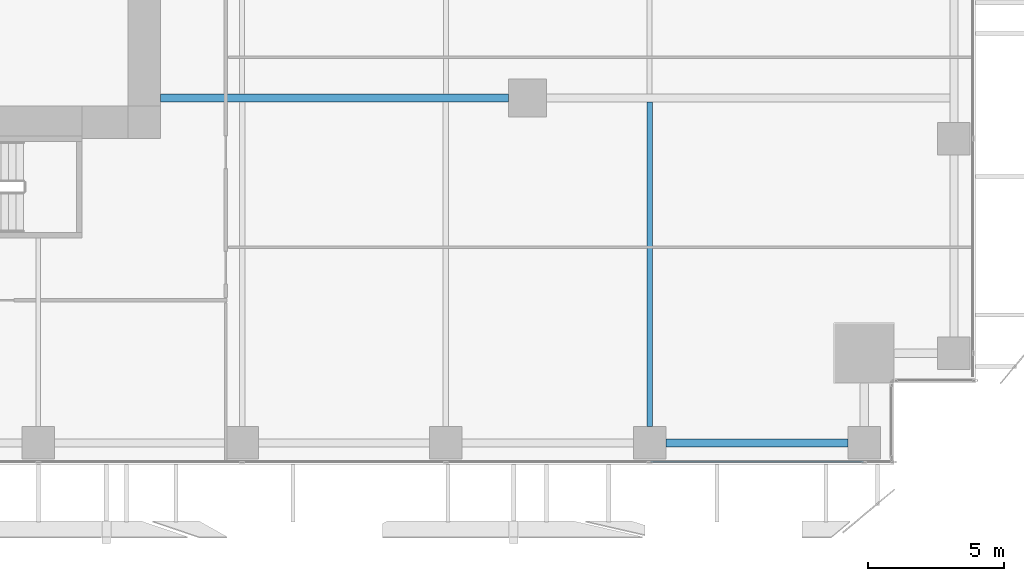
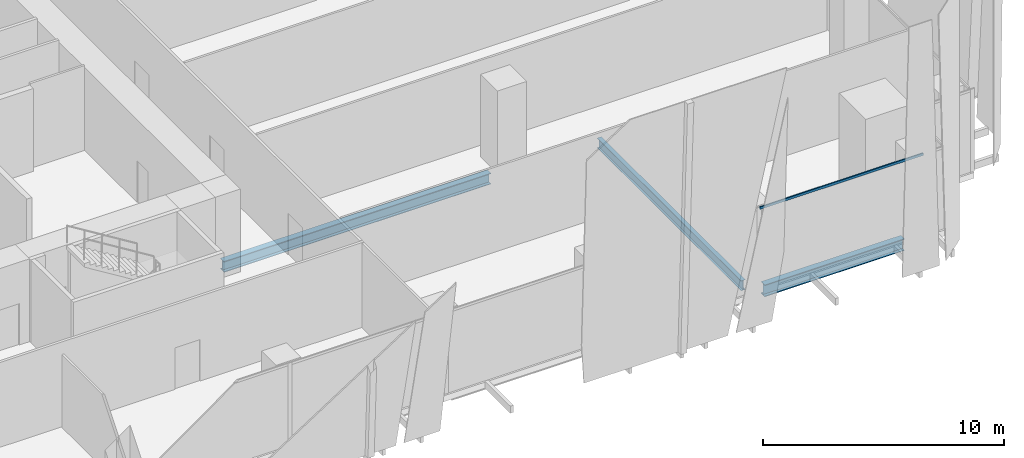
# One storey, part 8 of 37: 3 beams, 1 member, 1 element without a shape of its own.
"""IFC4 building model written with IfcOpenShell, lengths in metres."""

from ifc_helpers import new_model, si_unit, direction, frame, origin, origin_2d, place, context, subcontext, project, spatial, hollow_rectangle, i_section, extrude, source, transform, mapped, material, material_profile, profile_set, type_object, element, aggregate, save


model = new_model("IFC4")

# Units and contexts
model_context = context("Model", 3, precision=1e-05, world=origin(), true_north=direction((0.0, 1.0)))
body_context = subcontext(model_context, "Body", "Model", "MODEL_VIEW")
ifc_project = project(units=[si_unit("LENGTHUNIT", "METRE"), si_unit("AREAUNIT", "SQUARE_METRE"), si_unit("VOLUMEUNIT", "CUBIC_METRE"), si_unit("PLANEANGLEUNIT", "RADIAN"), si_unit("MASSUNIT", "GRAM", prefix="KILO")], contexts=[model_context])

# Site, building, storey
site_placement = place(None, origin())
site = spatial("IfcSite", under=ifc_project, at=site_placement, CompositionType="ELEMENT")
building_placement = place(site_placement, origin())
building = spatial("IfcBuilding", under=site, at=building_placement, Name="Khomas Fold Tower", CompositionType="ELEMENT")
storey_placement = place(building_placement, frame((0.0, 0.0, 60.0)))
storey = spatial("IfcBuildingStorey", under=building, at=storey_placement, Name="L12", CompositionType="ELEMENT", Elevation=60.0)

# Beams
ifc_material_1 = material(Name="Steel S355", Category="steel")
ifc_material_profile_1 = material_profile(ifc_material_1, i_section(OverallWidth=0.300048828125, OverallDepth=0.550048828125, WebThickness=0.014892578125, FlangeThickness=0.029052734375, at=origin_2d()), Name="HE 550 B")
ifc_profile_set_1 = profile_set([ifc_material_profile_1], Name="Steel S355")
beam_type_1 = type_object("IfcBeamType", Name="HE 550 B beam GB4", PredefinedType="BEAM", material=ifc_profile_set_1)
shared_shape_1 = source(origin(), body_context, "Body", "SweptSolid", [
    extrude(i_section(OverallWidth=0.300048828125, OverallDepth=0.550048828125, WebThickness=0.014892578125, FlangeThickness=0.029052734375, at=origin_2d()), origin(), (0.0, 0.0, 1.0), 12.800048828125),
])
beam_1_placement = place(storey_placement, frame((24.0, 13.5, -0.574951171875), z_axis=(1.0, 0.0, 0.0), x_axis=(0.0, 1.0, 0.0)))
element("IfcBeam", 1, at=beam_1_placement, inside=storey, type_object=beam_type_1, Name="GB4", PredefinedType="BEAM", context=body_context, shape_type="MappedRepresentation", body=[
    mapped(shared_shape_1, transform((0.0, 0.0, 0.0))),
])
ifc_material_2 = material(Name="Steel S355", Category="steel")
ifc_material_profile_2 = material_profile(ifc_material_2, i_section(OverallWidth=0.300048828125, OverallDepth=0.60009765625, WebThickness=0.015380859375, FlangeThickness=0.030029296875, at=origin_2d()), Name="HE 600 B")
ifc_profile_set_2 = profile_set([ifc_material_profile_2], Name="Steel S355")
beam_type_2 = type_object("IfcBeamType", Name="HE 600 B spandrel SB1", PredefinedType="SPANDREL", material=ifc_profile_set_2)
shared_shape_2 = source(origin(), body_context, "Body", "SweptSolid", [
    extrude(i_section(OverallWidth=0.300048828125, OverallDepth=0.60009765625, WebThickness=0.015380859375, FlangeThickness=0.030029296875, at=origin_2d()), origin(), (0.0, 0.0, 1.0), 6.699951171875),
])
beam_2_placement = place(storey_placement, frame((42.60009765625, 0.800048828125, -0.60009765625), z_axis=(1.0, 0.0, 0.0), x_axis=(0.0, 1.0, 0.0)))
element("IfcBeam", 2, at=beam_2_placement, inside=storey, type_object=beam_type_2, Name="SB1", PredefinedType="SPANDREL", context=body_context, shape_type="MappedRepresentation", body=[
    mapped(shared_shape_2, transform((0.0, 0.0, 0.0))),
])
ifc_material_3 = material(Name="Steel S355", Category="steel")
ifc_material_profile_3 = material_profile(ifc_material_3, i_section(OverallWidth=0.199951171875, OverallDepth=0.5, WebThickness=0.01025390625, FlangeThickness=0.01611328125, at=origin_2d()), Name="IPE 500")
ifc_profile_set_3 = profile_set([ifc_material_profile_3], Name="Steel S355")
beam_type_3 = type_object("IfcBeamType", Name="IPE 500 beam JB5", PredefinedType="BEAM", material=ifc_profile_set_3)
shared_shape_3 = source(origin(), body_context, "Body", "SweptSolid", [
    extrude(i_section(OverallWidth=0.199951171875, OverallDepth=0.5, WebThickness=0.01025390625, FlangeThickness=0.01611328125, at=origin_2d()), origin(), (0.0, 0.0, 1.0), 11.9501953125),
])
beam_3_placement = place(storey_placement, frame((42.0, 1.39990234375, -0.550048828125), z_axis=(0.0, 1.0, 0.0), x_axis=(-1.0, 0.0, 0.0)))
element("IfcBeam", 3, at=beam_3_placement, inside=storey, type_object=beam_type_3, Name="JB5", PredefinedType="BEAM", context=body_context, shape_type="MappedRepresentation", body=[
    mapped(shared_shape_3, transform((0.0, 0.0, 0.0))),
])

# Curtain wall, member
ifc_material_4 = material(Name="Aluminium framed double glazing", Category="aluminium")
curtain_wall_type = type_object("IfcCurtainWallType", Name="SK-Unitised clear-glass wall, growing floors CW1", PredefinedType="NOTDEFINED", material=ifc_material_4)
curtain_wall_placement = place(storey_placement, origin())
curtain_wall = element("IfcCurtainWall", 4, at=curtain_wall_placement, inside=storey, type_object=curtain_wall_type, Name="CW1 run L12 00-0", PredefinedType="NOTDEFINED")
ifc_material_5 = material(Name="Aluminium", Category="aluminium")
ifc_material_profile_4 = material_profile(ifc_material_5, hollow_rectangle(XDim=0.06005859375, YDim=0.1201171875, WallThickness=0.00390625, at=origin_2d()), Name="SK-Unitised clear-glass wall, growing floors transom CW1-T")
ifc_profile_set_4 = profile_set([ifc_material_profile_4], Name="Aluminium")
member_type = type_object("IfcMemberType", Name="SK-Unitised clear-glass wall, growing floors transom CW1-T", PredefinedType="USERDEFINED", material=ifc_profile_set_4)
shared_shape_4 = source(origin(), body_context, "Body", "SweptSolid", [
    extrude(hollow_rectangle(XDim=0.06005859375, YDim=0.1201171875, WallThickness=0.00390625, at=origin_2d()), origin(), (0.0, 0.0, 1.0), 7.840087890625),
])
member_placement = place(storey_placement, frame((42.030029296875, 0.10009765625, 4.139892578125), z_axis=(1.0, 0.0, 0.0), x_axis=(0.0, 1.0, 0.0)))
member = element("IfcMember", 5, at=member_placement, type_object=member_type, Name="CW1 transom 7", ObjectType="TRANSOM", PredefinedType="USERDEFINED", context=body_context, shape_type="MappedRepresentation", body=[
    mapped(shared_shape_4, transform((0.0, 0.0, 0.0))),
])
aggregate(curtain_wall, [member])

save(model, "model.ifc")
